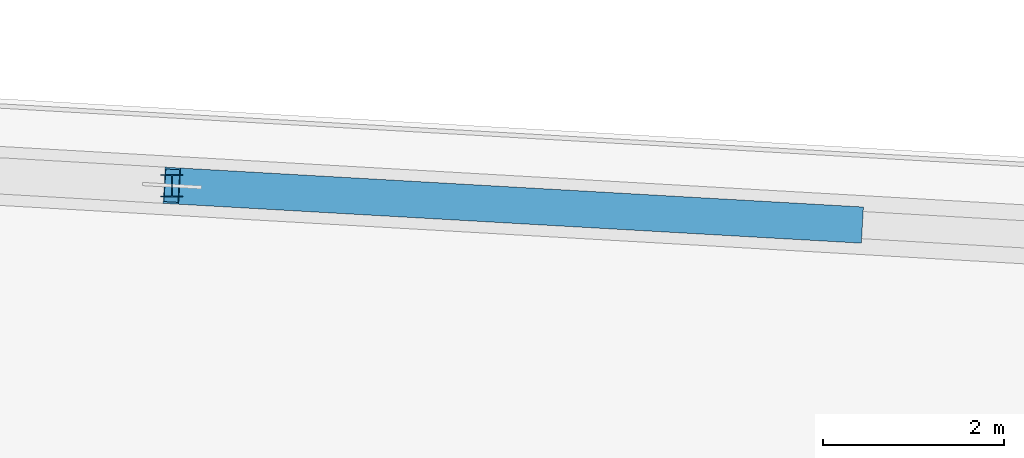
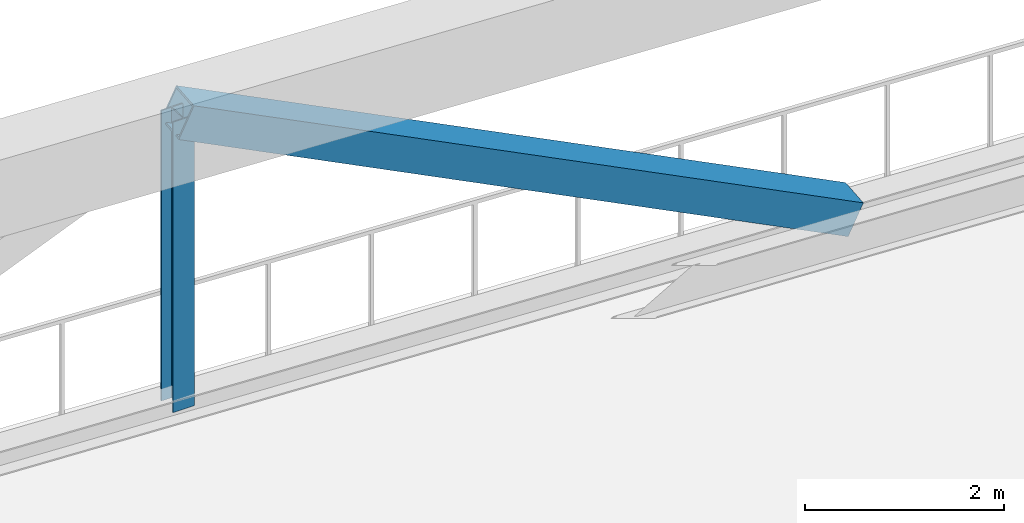
# One storey, part 11 of 25: 2 members.
"""IFC4 building model written with IfcOpenShell, lengths in metres."""

import ifcopenshell
import ifcopenshell.guid

model = None  # the IFC model being written
_history = None  # IfcOwnerHistory: only IFC2X3 demands one
_inside = {}  # id of a spatial element -> (the spatial element, [elements in it])
_under = {}  # id of a project, library or spatial element -> (it, [spatial elements below it])
_declared = {}  # id of a project -> (the project, [libraries it declares])
_typed = {}  # id of a type object -> (the type object, [elements of that type])
_made_of = {}  # id of a material, layer set ... -> (it, [elements and type objects made of it])


def new_model(schema):
    """Start an empty IFC model of exactly this schema.

    Asked for "IFC4X3", IfcOpenShell would pick the latest addendum, in which some entities
    have other attributes; the version numbers below select the first issue.
    IFC2X3 requires an IfcOwnerHistory on every rooted entity: one is made here for all.
    """
    global model, _history
    if schema == "IFC4X3":
        model = ifcopenshell.file(schema_version=(4, 3, 0, 0))
    else:
        model = ifcopenshell.file(schema=schema)
    _inside.clear()
    _under.clear()
    _declared.clear()
    _typed.clear()
    _made_of.clear()
    _history = None
    if model.schema == "IFC2X3":
        org = make("IfcOrganization", Name="unknown")
        user = make(
            "IfcPersonAndOrganization",
            ThePerson=make("IfcPerson", FamilyName="unknown"),
            TheOrganization=org,
        )
        app = make(
            "IfcApplication",
            ApplicationDeveloper=org,
            Version="unknown",
            ApplicationFullName="unknown",
            ApplicationIdentifier="unknown",
        )
        _history = make(
            "IfcOwnerHistory",
            OwningUser=user,
            OwningApplication=app,
            ChangeAction="ADDED",
            CreationDate=0,
        )
    return model


def make(cls, **values):
    """One entity of the class cls with the attributes given. An attribute that is None is left unset."""
    return model.create_entity(
        cls, **{name: value for name, value in values.items() if value is not None}
    )


def rooted(cls, **values):
    """An entity with a GlobalId (a new one), such as an element, a storey or a relation."""
    return make(cls, GlobalId=ifcopenshell.guid.new(), OwnerHistory=_history, **values)


def si_unit(unit_type, name, prefix=None):
    """IfcSIUnit, for example si_unit("LENGTHUNIT", "METRE", prefix="MILLI")."""
    return make("IfcSIUnit", UnitType=unit_type, Prefix=prefix, Name=name)


def assignment(units):
    """IfcUnitAssignment: the units of a project."""
    return None if units is None else make("IfcUnitAssignment", Units=units)


def point(xyz):
    """IfcCartesianPoint."""
    return None if xyz is None else make("IfcCartesianPoint", Coordinates=xyz)


def direction(xyz):
    """IfcDirection."""
    return None if xyz is None else make("IfcDirection", DirectionRatios=xyz)


def frame(location, z_axis=None, x_axis=None):
    """IfcAxis2Placement3D, a coordinate frame: its origin and axes. An axis left out is left unset."""
    return make(
        "IfcAxis2Placement3D",
        Location=point(location),
        Axis=direction(z_axis),
        RefDirection=direction(x_axis),
    )


def frame_2d(location, x_axis=None):
    """IfcAxis2Placement2D, a coordinate frame in the plane: its origin and x axis."""
    return make(
        "IfcAxis2Placement2D", Location=point(location), RefDirection=direction(x_axis)
    )


def origin():
    """The frame at (0, 0, 0) with its axes left unset."""
    return frame((0.0, 0.0, 0.0))


def origin_2d():
    """The frame at (0, 0) in the plane with its x axis left unset."""
    return frame_2d((0.0, 0.0))


def place(relative_to, where):
    """IfcLocalPlacement: puts the frame where relative to a parent placement (None: the world)."""
    return make(
        "IfcLocalPlacement", PlacementRelTo=relative_to, RelativePlacement=where
    )


def context(
    kind, dimensions, precision=None, world=None, true_north=None, identifier=None
):
    """IfcGeometricRepresentationContext, for example the 3D "Model" context."""
    return make(
        "IfcGeometricRepresentationContext",
        ContextIdentifier=identifier,
        ContextType=kind,
        CoordinateSpaceDimension=dimensions,
        Precision=precision,
        WorldCoordinateSystem=world,
        TrueNorth=true_north,
    )


def subcontext(parent, identifier, kind, view, scale=None):
    """IfcGeometricRepresentationSubContext, for example "Body" below "Model"."""
    return make(
        "IfcGeometricRepresentationSubContext",
        ContextIdentifier=identifier,
        ContextType=kind,
        ParentContext=parent,
        TargetScale=scale,
        TargetView=view,
    )


def project(units=None, contexts=None):
    """IfcProject with its units and contexts."""
    return rooted(
        "IfcProject",
        Name="project",
        RepresentationContexts=contexts,
        UnitsInContext=assignment(units),
    )


def spatial(cls, under=None, at=None, **own):
    """A site, building, storey or space (cls), placed at a placement, below another one or the project."""
    s = rooted(cls, ObjectPlacement=at, **own)
    if under is not None:
        _under.setdefault(under.id(), (under, []))[1].append(s)
    return s


def profile(cls, at=None, kind="AREA", **sizes):
    """A parametric profile (cls). Its sizes go by their IFC names, for example OverallWidth=200.0."""
    return make(cls, ProfileType=kind, Position=at, **sizes)


def hollow_rectangle(**sizes):
    """IfcRectangleHollowProfileDef."""
    return profile("IfcRectangleHollowProfileDef", **sizes)


def i_section(**sizes):
    """IfcIShapeProfileDef."""
    return profile("IfcIShapeProfileDef", **sizes)


def extrude(swept, where, along, depth):
    """IfcExtrudedAreaSolid: the profile swept, set in the frame where, extruded along a direction by depth."""
    return make(
        "IfcExtrudedAreaSolid",
        SweptArea=swept,
        Position=where,
        ExtrudedDirection=direction(along),
        Depth=depth,
    )


def shape(context_of_items, identifier, shape_type, items):
    """IfcShapeRepresentation: the items that make up one representation, for example the "Body"."""
    return make(
        "IfcShapeRepresentation",
        ContextOfItems=context_of_items,
        RepresentationIdentifier=identifier,
        RepresentationType=shape_type,
        Items=items,
    )


def source(mapping_origin, context_of_items, identifier, shape_type, items):
    """IfcRepresentationMap: a shape defined once, which mapped items show again and again."""
    return make(
        "IfcRepresentationMap",
        MappingOrigin=mapping_origin,
        MappedRepresentation=shape(context_of_items, identifier, shape_type, items),
    )


def transform(
    local_origin,
    x_axis=None,
    y_axis=None,
    z_axis=None,
    scale=None,
    scale2=None,
    scale3=None,
    uniform=True,
):
    """IfcCartesianTransformationOperator3D, or its non-uniform kind. x_axis, y_axis, z_axis: its Axis1, 2, 3."""
    if uniform:
        return make(
            "IfcCartesianTransformationOperator3D",
            Axis1=direction(x_axis),
            Axis2=direction(y_axis),
            LocalOrigin=point(local_origin),
            Scale=scale,
            Axis3=direction(z_axis),
        )
    return make(
        "IfcCartesianTransformationOperator3DnonUniform",
        Axis1=direction(x_axis),
        Axis2=direction(y_axis),
        LocalOrigin=point(local_origin),
        Scale=scale,
        Axis3=direction(z_axis),
        Scale2=scale2,
        Scale3=scale3,
    )


def mapped(mapping_source, mapping_target):
    """IfcMappedItem: shows the shape of a source again, moved by a transform."""
    return make(
        "IfcMappedItem", MappingSource=mapping_source, MappingTarget=mapping_target
    )


def material(Name=None, Category=None):
    """IfcMaterial."""
    return make("IfcMaterial", Name=Name, Category=Category)


def material_profile(
    of_material, cross_section, Name=None, Category=None, Priority=None
):
    """IfcMaterialProfile: a cross section and its material."""
    return make(
        "IfcMaterialProfile",
        Name=Name,
        Material=of_material,
        Profile=cross_section,
        Priority=Priority,
        Category=Category,
    )


def profile_set(profiles, Name=None, composite=None):
    """IfcMaterialProfileSet."""
    return make(
        "IfcMaterialProfileSet",
        Name=Name,
        MaterialProfiles=profiles,
        CompositeProfile=composite,
    )


def made_of(thing, what):
    """Note that an element or type object is made of a material, layer set ...; save() writes the relation."""
    if what is not None:
        _made_of.setdefault(what.id(), (what, []))[1].append(thing)
    return thing


def type_object(cls, material=None, **own):
    """A type object (cls), such as IfcWallType, which elements share."""
    return made_of(rooted(cls, **own), material)


def element(
    cls,
    number,
    at=None,
    inside=None,
    cuts=None,
    type_object=None,
    material=None,
    context=None,
    identifier="Body",
    shape_type=None,
    held_by="IfcProductDefinitionShape",
    body=None,
    shapes=None,
    **own,
):
    """One element of the class cls, such as IfcWall. Its Tag is "e" and its number.

    at: its placement. inside: the storey or other place that contains it. cuts: it is an
    opening in that element (IfcRelVoidsElement). A single representation is given by context,
    identifier, shape_type and body (its items); several are given by shapes. held_by: the class
    of the entity that holds the representations. save() writes the other relations.
    """
    e = rooted(cls, Tag="e%d" % number, ObjectPlacement=at, **own)
    if body is not None:
        shapes = [shape(context, identifier, shape_type, body)]
    if shapes is not None:
        e.Representation = make(held_by, Representations=shapes)
    if inside is not None:
        _inside.setdefault(inside.id(), (inside, []))[1].append(e)
    if cuts is not None:
        rooted(
            "IfcRelVoidsElement", RelatingBuildingElement=cuts, RelatedOpeningElement=e
        )
    if type_object is not None:
        _typed.setdefault(type_object.id(), (type_object, []))[1].append(e)
    return made_of(e, material)


def aggregate(whole, parts):
    """IfcRelAggregates: a whole, such as a stair, and the parts it consists of."""
    return rooted("IfcRelAggregates", RelatingObject=whole, RelatedObjects=parts)


def save(model, path):
    """Write the relations noted so far, then the file.

    IfcRelAggregates (storeys below a building ...), IfcRelContainedInSpatialStructure (elements
    in a storey), IfcRelDefinesByType, IfcRelAssociatesMaterial and IfcRelDeclares: one each for
    every whole, place, type object, material and project.
    """
    for whole, parts in _under.values():
        aggregate(whole, parts)
    for where, things in _inside.values():
        rooted(
            "IfcRelContainedInSpatialStructure",
            RelatedElements=things,
            RelatingStructure=where,
        )
    for kind, things in _typed.values():
        rooted("IfcRelDefinesByType", RelatedObjects=things, RelatingType=kind)
    for what, things in _made_of.values():
        rooted("IfcRelAssociatesMaterial", RelatedObjects=things, RelatingMaterial=what)
    for by, libraries in _declared.values():
        rooted("IfcRelDeclares", RelatingContext=by, RelatedDefinitions=libraries)
    model.write(path)


model = new_model("IFC4")

# Units and contexts
model_context = context("Model", 3, precision=1e-05, world=origin(), true_north=direction((0.0, 1.0)))
body_context = subcontext(model_context, "Body", "Model", "MODEL_VIEW")
ifc_project = project(units=[si_unit("LENGTHUNIT", "METRE"), si_unit("AREAUNIT", "SQUARE_METRE"), si_unit("VOLUMEUNIT", "CUBIC_METRE"), si_unit("PLANEANGLEUNIT", "RADIAN"), si_unit("MASSUNIT", "GRAM", prefix="KILO")], contexts=[model_context])

# Site, building, storey
site_placement = place(None, origin())
site = spatial("IfcSite", under=ifc_project, at=site_placement, CompositionType="ELEMENT")
building_placement = place(site_placement, origin())
building = spatial("IfcBuilding", under=site, at=building_placement, Name="Liaohun Quay Tower", CompositionType="ELEMENT")
storey_placement = place(building_placement, frame((0.0, 0.0, 93.0)))
storey = spatial("IfcBuildingStorey", under=building, at=storey_placement, Name="L24", CompositionType="ELEMENT", Elevation=93.0)

# Members
ifc_material_1 = material(Name="Steel Q355D", Category="steel")
ifc_material_profile_1 = material_profile(ifc_material_1, i_section(OverallWidth=0.25, OverallDepth=0.25, WebThickness=0.009033203125, FlangeThickness=0.013916015625, at=origin_2d()), Name="HW250x250x9x14")
ifc_profile_set_1 = profile_set([ifc_material_profile_1], Name="Steel Q355D")
member_type_1 = type_object("IfcMemberType", Name="MEM-BLT-PST", PredefinedType="POST", material=ifc_profile_set_1)
shared_shape_1 = source(origin(), body_context, "Body", "SweptSolid", [
    extrude(i_section(OverallWidth=0.25, OverallDepth=0.25, WebThickness=0.009033203125, FlangeThickness=0.013916015625, at=origin_2d()), origin(), (0.0, 0.0, 1.0), 3.56982421875),
])
member_1_placement = place(storey_placement, frame((74.2451171875, 80.19189453125, 0.35009765625), z_axis=(0.0, 0.0, 1.0), x_axis=(1.0, 0.0, 0.0)))
element("IfcMember", 1, at=member_1_placement, inside=storey, type_object=member_type_1, Name="L24 Belt Truss Vertical Post BP-1-04", PredefinedType="POST", context=body_context, shape_type="MappedRepresentation", body=[
    mapped(shared_shape_1, transform((0.0, 0.0, 0.0), x_axis=(1.0, 0.0, 0.0), y_axis=(0.0, 1.0, 0.0), z_axis=(0.0, 0.0, 1.0), scale=1.0)),
])
ifc_material_2 = material(Name="Steel Q420D", Category="steel")
ifc_material_profile_2 = material_profile(ifc_material_2, hollow_rectangle(XDim=0.39990234375, YDim=0.39990234375, WallThickness=0.02001953125, at=origin_2d()), Name="SHS400x400x20")
ifc_profile_set_2 = profile_set([ifc_material_profile_2], Name="Steel Q420D")
member_type_2 = type_object("IfcMemberType", Name="MEM-BLT-DG1", PredefinedType="BRACE", material=ifc_profile_set_2)
shared_shape_2 = source(origin(), body_context, "Body", "SweptSolid", [
    extrude(hollow_rectangle(XDim=0.39990234375, YDim=0.39990234375, WallThickness=0.02001953125, at=origin_2d()), origin(), (0.0, 0.0, 1.0), 8.34716796875),
])
member_2_placement = place(storey_placement, frame((74.2451171875, 80.19189453125, 3.919921875), z_axis=(0.902464992066, -0.051506752586, -0.427672763377), x_axis=(0.056980679638, 0.998375281218, 0.0)))
element("IfcMember", 2, at=member_2_placement, inside=storey, type_object=member_type_2, Name="L24 Belt Truss Diagonal BD-04B", PredefinedType="BRACE", context=body_context, shape_type="MappedRepresentation", body=[
    mapped(shared_shape_2, transform((0.0, 0.0, 0.0), x_axis=(1.0, 0.0, 0.0), y_axis=(0.0, 1.0, 0.0), z_axis=(0.0, 0.0, 1.0), scale=1.0)),
])

save(model, "model.ifc")
